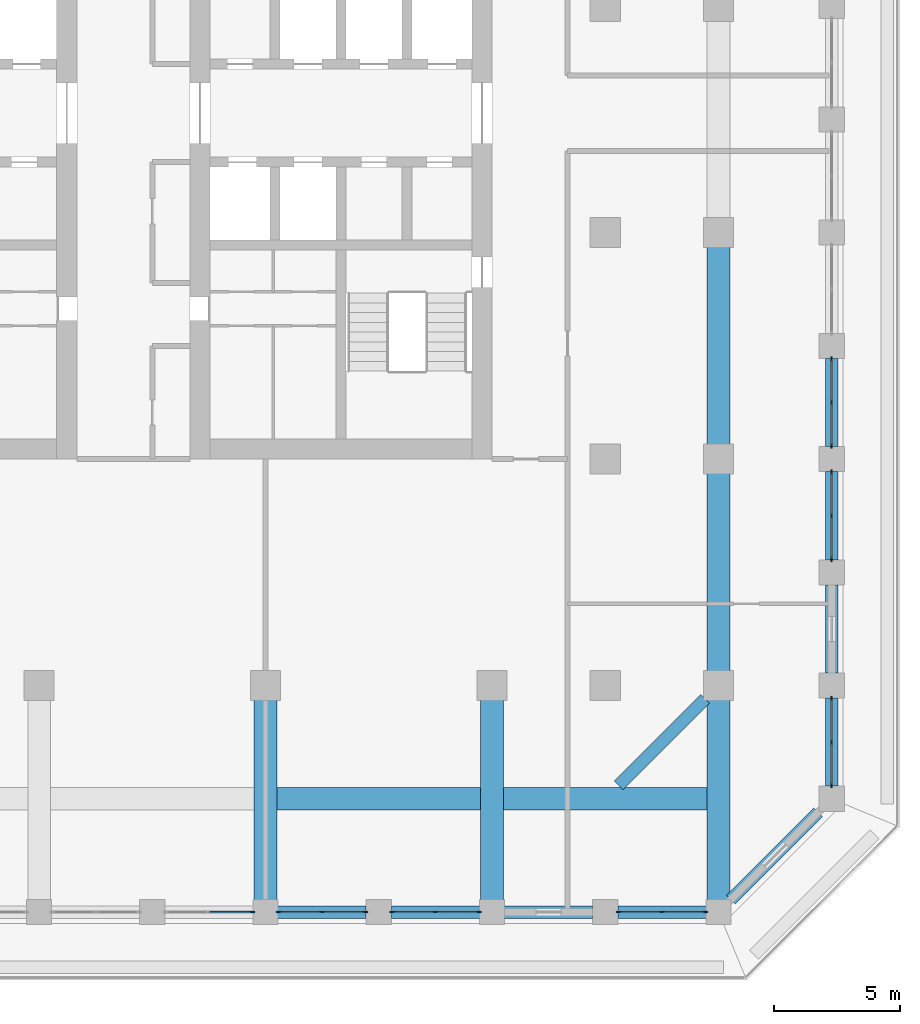
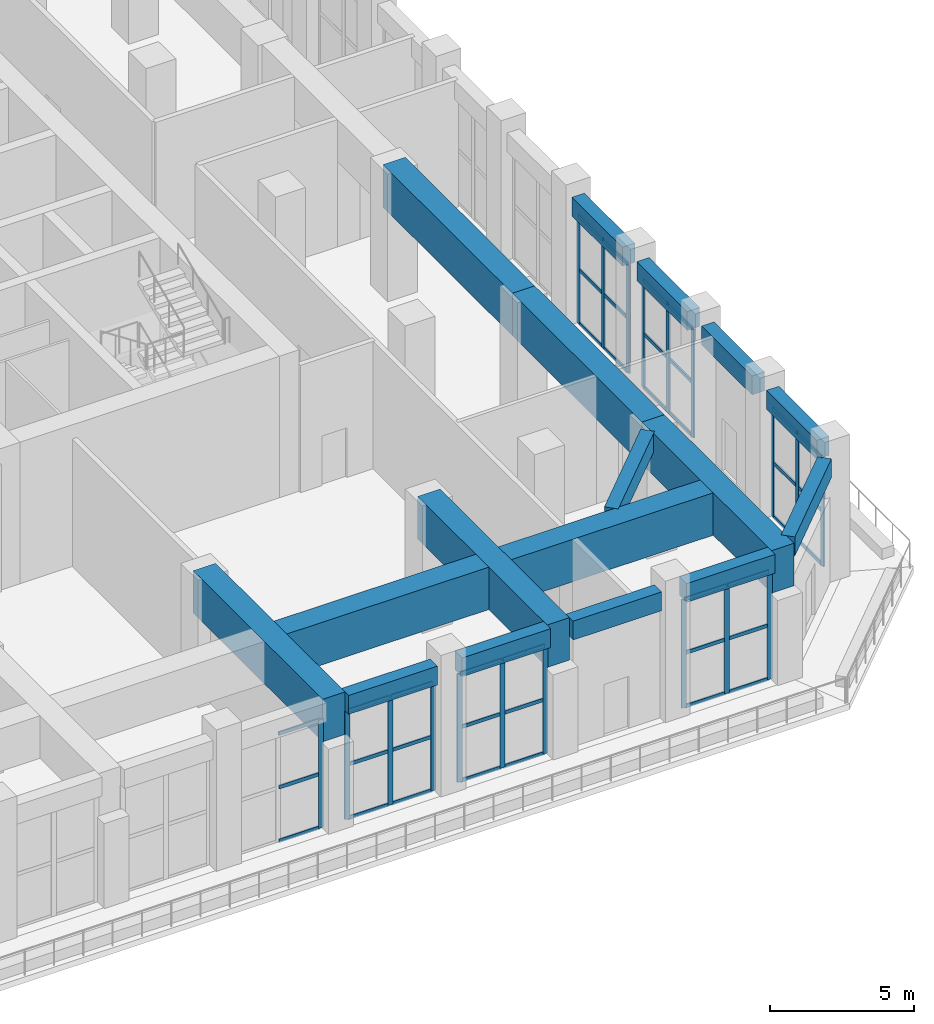
# One storey, part 4 of 25: 58 members, 17 beams, 7 elements without a shape of their own.
"""IFC4 building model written with IfcOpenShell, lengths in metres."""

from ifc_helpers import new_model, si_unit, direction, frame, origin, origin_2d, place, context, subcontext, project, spatial, rectangle, extrude, material, material_profile, profile_set, type_object, element, aggregate, save


model = new_model("IFC4")

# Units and contexts
model_context = context("Model", 3, precision=1e-05, world=origin(), true_north=direction((0.0, 1.0)))
body_context = subcontext(model_context, "Body", "Model", "MODEL_VIEW")
ifc_project = project(units=[si_unit("LENGTHUNIT", "METRE"), si_unit("AREAUNIT", "SQUARE_METRE"), si_unit("VOLUMEUNIT", "CUBIC_METRE"), si_unit("PLANEANGLEUNIT", "RADIAN"), si_unit("MASSUNIT", "GRAM", prefix="KILO")], contexts=[model_context])

# Site, building, storey
site_placement = place(None, origin())
site = spatial("IfcSite", under=ifc_project, at=site_placement, CompositionType="ELEMENT")
building_placement = place(site_placement, origin())
building = spatial("IfcBuilding", under=site, at=building_placement, Name="Corbel Stack Research Tower", CompositionType="ELEMENT")
storey_placement = place(building_placement, frame((0.0, 0.0, 220.199951171875)))
storey = spatial("IfcBuildingStorey", under=building, at=storey_placement, Name="L50", CompositionType="ELEMENT", Elevation=220.199951171875)

# Curtain wall, member
ifc_material_1 = material(Name="Aluminium frame, clear glass", Category="aluminium")
curtain_wall_type = type_object("IfcCurtainWallType", Name="Upper amenity floor curtain wall CW3", PredefinedType="NOTDEFINED", material=ifc_material_1)
curtain_wall_1_placement = place(storey_placement, origin())
curtain_wall_1 = element("IfcCurtainWall", 1, at=curtain_wall_1_placement, inside=storey, type_object=curtain_wall_type, Name="Curtain wall CW3 L50 S06", PredefinedType="NOTDEFINED")
ifc_material_2 = material(Name="Aluminium mullion", Category="aluminium")
ifc_material_profile_1 = material_profile(ifc_material_2, rectangle(XDim=0.06005859375, YDim=0.199951171875, at=origin_2d()), Name="Mullion 60 x 200")
ifc_profile_set_1 = profile_set([ifc_material_profile_1], Name="Aluminium mullion")
member_type_1 = type_object("IfcMemberType", Name="Curtain wall mullion 60 x 200", PredefinedType="MULLION", material=ifc_profile_set_1)
member_1_placement = place(storey_placement, frame((8.469970703125, -27.0, 0.0), z_axis=(0.0, 0.0, 1.0), x_axis=(0.0, 1.0, 0.0)))
member_1 = element("IfcMember", 2, at=member_1_placement, type_object=member_type_1, Name="CW3 mullion 3", PredefinedType="MULLION", context=body_context, shape_type="SweptSolid", body=[
    extrude(rectangle(XDim=0.06005859375, YDim=0.199951171875, at=origin_2d()), origin(), (0.0, 0.0, 1.0), 4.60009765625),
])

# Curtain wall, members
curtain_wall_2_placement = place(storey_placement, origin())
curtain_wall_2 = element("IfcCurtainWall", 3, at=curtain_wall_2_placement, inside=storey, type_object=curtain_wall_type, Name="Curtain wall CW3 L50 S07", PredefinedType="NOTDEFINED")
member_2_placement = place(storey_placement, frame((9.530029296875, -27.0, 0.0), z_axis=(0.0, 0.0, 1.0), x_axis=(0.0, 1.0, 0.0)))
member_2 = element("IfcMember", 4, at=member_2_placement, type_object=member_type_1, Name="CW3 mullion 1", PredefinedType="MULLION", context=body_context, shape_type="SweptSolid", body=[
    extrude(rectangle(XDim=0.06005859375, YDim=0.199951171875, at=origin_2d()), origin(), (0.0, 0.0, 1.0), 4.60009765625),
])
member_3_placement = place(storey_placement, frame((11.25, -27.0, 0.0), z_axis=(0.0, 0.0, 1.0), x_axis=(0.0, 1.0, 0.0)))
member_3 = element("IfcMember", 5, at=member_3_placement, type_object=member_type_1, Name="CW3 mullion 2", PredefinedType="MULLION", context=body_context, shape_type="SweptSolid", body=[
    extrude(rectangle(XDim=0.06005859375, YDim=0.199951171875, at=origin_2d()), origin(), (0.0, 0.0, 1.0), 4.60009765625),
])
member_4_placement = place(storey_placement, frame((12.969970703125, -27.0, 0.0), z_axis=(0.0, 0.0, 1.0), x_axis=(0.0, 1.0, 0.0)))
member_4 = element("IfcMember", 6, at=member_4_placement, type_object=member_type_1, Name="CW3 mullion 3", PredefinedType="MULLION", context=body_context, shape_type="SweptSolid", body=[
    extrude(rectangle(XDim=0.06005859375, YDim=0.199951171875, at=origin_2d()), origin(), (0.0, 0.0, 1.0), 4.60009765625),
])

curtain_wall_3_placement = place(storey_placement, origin())
curtain_wall_3 = element("IfcCurtainWall", 7, at=curtain_wall_3_placement, inside=storey, type_object=curtain_wall_type, Name="Curtain wall CW3 L50 S08", PredefinedType="NOTDEFINED")
member_5_placement = place(storey_placement, frame((14.030029296875, -27.0, 0.0), z_axis=(0.0, 0.0, 1.0), x_axis=(0.0, 1.0, 0.0)))
member_5 = element("IfcMember", 8, at=member_5_placement, type_object=member_type_1, Name="CW3 mullion 1", PredefinedType="MULLION", context=body_context, shape_type="SweptSolid", body=[
    extrude(rectangle(XDim=0.06005859375, YDim=0.199951171875, at=origin_2d()), origin(), (0.0, 0.0, 1.0), 4.60009765625),
])
member_6_placement = place(storey_placement, frame((15.75, -27.0, 0.0), z_axis=(0.0, 0.0, 1.0), x_axis=(0.0, 1.0, 0.0)))
member_6 = element("IfcMember", 9, at=member_6_placement, type_object=member_type_1, Name="CW3 mullion 2", PredefinedType="MULLION", context=body_context, shape_type="SweptSolid", body=[
    extrude(rectangle(XDim=0.06005859375, YDim=0.199951171875, at=origin_2d()), origin(), (0.0, 0.0, 1.0), 4.60009765625),
])
member_7_placement = place(storey_placement, frame((17.469970703125, -27.0, 0.0), z_axis=(0.0, 0.0, 1.0), x_axis=(0.0, 1.0, 0.0)))
member_7 = element("IfcMember", 10, at=member_7_placement, type_object=member_type_1, Name="CW3 mullion 3", PredefinedType="MULLION", context=body_context, shape_type="SweptSolid", body=[
    extrude(rectangle(XDim=0.06005859375, YDim=0.199951171875, at=origin_2d()), origin(), (0.0, 0.0, 1.0), 4.60009765625),
])

curtain_wall_4_placement = place(storey_placement, origin())
curtain_wall_4 = element("IfcCurtainWall", 11, at=curtain_wall_4_placement, inside=storey, type_object=curtain_wall_type, Name="Curtain wall CW3 L50 S10", PredefinedType="NOTDEFINED")
member_8_placement = place(storey_placement, frame((23.030029296875, -27.0, 0.0), z_axis=(0.0, 0.0, 1.0), x_axis=(0.0, 1.0, 0.0)))
member_8 = element("IfcMember", 12, at=member_8_placement, type_object=member_type_1, Name="CW3 mullion 1", PredefinedType="MULLION", context=body_context, shape_type="SweptSolid", body=[
    extrude(rectangle(XDim=0.06005859375, YDim=0.199951171875, at=origin_2d()), origin(), (0.0, 0.0, 1.0), 4.60009765625),
])
member_9_placement = place(storey_placement, frame((24.75, -27.0, 0.0), z_axis=(0.0, 0.0, 1.0), x_axis=(0.0, 1.0, 0.0)))
member_9 = element("IfcMember", 13, at=member_9_placement, type_object=member_type_1, Name="CW3 mullion 2", PredefinedType="MULLION", context=body_context, shape_type="SweptSolid", body=[
    extrude(rectangle(XDim=0.06005859375, YDim=0.199951171875, at=origin_2d()), origin(), (0.0, 0.0, 1.0), 4.60009765625),
])
member_10_placement = place(storey_placement, frame((26.469970703125, -27.0, 0.0), z_axis=(0.0, 0.0, 1.0), x_axis=(0.0, 1.0, 0.0)))
member_10 = element("IfcMember", 14, at=member_10_placement, type_object=member_type_1, Name="CW3 mullion 3", PredefinedType="MULLION", context=body_context, shape_type="SweptSolid", body=[
    extrude(rectangle(XDim=0.06005859375, YDim=0.199951171875, at=origin_2d()), origin(), (0.0, 0.0, 1.0), 4.60009765625),
])

curtain_wall_5_placement = place(storey_placement, origin())
curtain_wall_5 = element("IfcCurtainWall", 15, at=curtain_wall_5_placement, inside=storey, type_object=curtain_wall_type, Name="Curtain wall CW3 L50 E01", PredefinedType="NOTDEFINED")
member_11_placement = place(storey_placement, frame((31.5, -21.969970703125, 0.0), z_axis=(0.0, 0.0, 1.0), x_axis=(-1.0, 0.0, 0.0)))
member_11 = element("IfcMember", 16, at=member_11_placement, type_object=member_type_1, Name="CW3 mullion 1", PredefinedType="MULLION", context=body_context, shape_type="SweptSolid", body=[
    extrude(rectangle(XDim=0.06005859375, YDim=0.199951171875, at=origin_2d()), origin(), (0.0, 0.0, 1.0), 4.60009765625),
])
member_12_placement = place(storey_placement, frame((31.5, -20.25, 0.0), z_axis=(0.0, 0.0, 1.0), x_axis=(-1.0, 0.0, 0.0)))
member_12 = element("IfcMember", 17, at=member_12_placement, type_object=member_type_1, Name="CW3 mullion 2", PredefinedType="MULLION", context=body_context, shape_type="SweptSolid", body=[
    extrude(rectangle(XDim=0.06005859375, YDim=0.199951171875, at=origin_2d()), origin(), (0.0, 0.0, 1.0), 4.60009765625),
])
member_13_placement = place(storey_placement, frame((31.5, -18.530029296875, 0.0), z_axis=(0.0, 0.0, 1.0), x_axis=(-1.0, 0.0, 0.0)))
member_13 = element("IfcMember", 18, at=member_13_placement, type_object=member_type_1, Name="CW3 mullion 3", PredefinedType="MULLION", context=body_context, shape_type="SweptSolid", body=[
    extrude(rectangle(XDim=0.06005859375, YDim=0.199951171875, at=origin_2d()), origin(), (0.0, 0.0, 1.0), 4.60009765625),
])

curtain_wall_6_placement = place(storey_placement, origin())
curtain_wall_6 = element("IfcCurtainWall", 19, at=curtain_wall_6_placement, inside=storey, type_object=curtain_wall_type, Name="Curtain wall CW3 L50 E03", PredefinedType="NOTDEFINED")
member_14_placement = place(storey_placement, frame((31.5, -12.969970703125, 0.0), z_axis=(0.0, 0.0, 1.0), x_axis=(-1.0, 0.0, 0.0)))
member_14 = element("IfcMember", 20, at=member_14_placement, type_object=member_type_1, Name="CW3 mullion 1", PredefinedType="MULLION", context=body_context, shape_type="SweptSolid", body=[
    extrude(rectangle(XDim=0.06005859375, YDim=0.199951171875, at=origin_2d()), origin(), (0.0, 0.0, 1.0), 4.60009765625),
])
member_15_placement = place(storey_placement, frame((31.5, -11.25, 0.0), z_axis=(0.0, 0.0, 1.0), x_axis=(-1.0, 0.0, 0.0)))
member_15 = element("IfcMember", 21, at=member_15_placement, type_object=member_type_1, Name="CW3 mullion 2", PredefinedType="MULLION", context=body_context, shape_type="SweptSolid", body=[
    extrude(rectangle(XDim=0.06005859375, YDim=0.199951171875, at=origin_2d()), origin(), (0.0, 0.0, 1.0), 4.60009765625),
])
member_16_placement = place(storey_placement, frame((31.5, -9.530029296875, 0.0), z_axis=(0.0, 0.0, 1.0), x_axis=(-1.0, 0.0, 0.0)))
member_16 = element("IfcMember", 22, at=member_16_placement, type_object=member_type_1, Name="CW3 mullion 3", PredefinedType="MULLION", context=body_context, shape_type="SweptSolid", body=[
    extrude(rectangle(XDim=0.06005859375, YDim=0.199951171875, at=origin_2d()), origin(), (0.0, 0.0, 1.0), 4.60009765625),
])

curtain_wall_7_placement = place(storey_placement, origin())
curtain_wall_7 = element("IfcCurtainWall", 23, at=curtain_wall_7_placement, inside=storey, type_object=curtain_wall_type, Name="Curtain wall CW3 L50 E04", PredefinedType="NOTDEFINED")
member_17_placement = place(storey_placement, frame((31.5, -8.469970703125, 0.0), z_axis=(0.0, 0.0, 1.0), x_axis=(-1.0, 0.0, 0.0)))
member_17 = element("IfcMember", 24, at=member_17_placement, type_object=member_type_1, Name="CW3 mullion 1", PredefinedType="MULLION", context=body_context, shape_type="SweptSolid", body=[
    extrude(rectangle(XDim=0.06005859375, YDim=0.199951171875, at=origin_2d()), origin(), (0.0, 0.0, 1.0), 4.60009765625),
])
member_18_placement = place(storey_placement, frame((31.5, -6.75, 0.0), z_axis=(0.0, 0.0, 1.0), x_axis=(-1.0, 0.0, 0.0)))
member_18 = element("IfcMember", 25, at=member_18_placement, type_object=member_type_1, Name="CW3 mullion 2", PredefinedType="MULLION", context=body_context, shape_type="SweptSolid", body=[
    extrude(rectangle(XDim=0.06005859375, YDim=0.199951171875, at=origin_2d()), origin(), (0.0, 0.0, 1.0), 4.60009765625),
])
member_19_placement = place(storey_placement, frame((31.5, -5.030029296875, 0.0), z_axis=(0.0, 0.0, 1.0), x_axis=(-1.0, 0.0, 0.0)))
member_19 = element("IfcMember", 26, at=member_19_placement, type_object=member_type_1, Name="CW3 mullion 3", PredefinedType="MULLION", context=body_context, shape_type="SweptSolid", body=[
    extrude(rectangle(XDim=0.06005859375, YDim=0.199951171875, at=origin_2d()), origin(), (0.0, 0.0, 1.0), 4.60009765625),
])

# Member
ifc_material_3 = material(Name="Aluminium transom", Category="aluminium")
ifc_material_profile_2 = material_profile(ifc_material_3, rectangle(XDim=0.06005859375, YDim=0.14990234375, at=origin_2d()), Name="Transom 60 x 150")
ifc_profile_set_2 = profile_set([ifc_material_profile_2], Name="Aluminium transom")
member_type_2 = type_object("IfcMemberType", Name="Curtain wall transom 60 x 150", PredefinedType="USERDEFINED", material=ifc_profile_set_2)
member_20_placement = place(storey_placement, frame((6.780029296875, -27.0, 0.030029296875), z_axis=(1.0, 0.0, 0.0), x_axis=(0.0, 1.0, 0.0)))
member_20 = element("IfcMember", 27, at=member_20_placement, type_object=member_type_2, Name="CW3 transom 2.1", ObjectType="TRANSOM", PredefinedType="USERDEFINED", context=body_context, shape_type="SweptSolid", body=[
    extrude(rectangle(XDim=0.06005859375, YDim=0.14990234375, at=origin_2d()), origin(), (0.0, 0.0, 1.0), 1.659912109375),
])

member_21_placement = place(storey_placement, frame((6.780029296875, -27.0, 2.300048828125), z_axis=(1.0, 0.0, 0.0), x_axis=(0.0, 1.0, 0.0)))
member_21 = element("IfcMember", 28, at=member_21_placement, type_object=member_type_2, Name="CW3 transom 2.2", ObjectType="TRANSOM", PredefinedType="USERDEFINED", context=body_context, shape_type="SweptSolid", body=[
    extrude(rectangle(XDim=0.06005859375, YDim=0.14990234375, at=origin_2d()), origin(), (0.0, 0.0, 1.0), 1.659912109375),
])

member_22_placement = place(storey_placement, frame((6.780029296875, -27.0, 4.570068359375), z_axis=(1.0, 0.0, 0.0), x_axis=(0.0, 1.0, 0.0)))
member_22 = element("IfcMember", 29, at=member_22_placement, type_object=member_type_2, Name="CW3 transom 2.3", ObjectType="TRANSOM", PredefinedType="USERDEFINED", context=body_context, shape_type="SweptSolid", body=[
    extrude(rectangle(XDim=0.06005859375, YDim=0.14990234375, at=origin_2d()), origin(), (0.0, 0.0, 1.0), 1.659912109375),
])

aggregate(curtain_wall_1, [member_1, member_20, member_21, member_22])

member_23_placement = place(storey_placement, frame((9.56005859375, -27.0, 0.030029296875), z_axis=(1.0, 0.0, 0.0), x_axis=(0.0, 1.0, 0.0)))
member_23 = element("IfcMember", 30, at=member_23_placement, type_object=member_type_2, Name="CW3 transom 1.1", ObjectType="TRANSOM", PredefinedType="USERDEFINED", context=body_context, shape_type="SweptSolid", body=[
    extrude(rectangle(XDim=0.06005859375, YDim=0.14990234375, at=origin_2d()), origin(), (0.0, 0.0, 1.0), 1.659912109375),
])

member_24_placement = place(storey_placement, frame((9.56005859375, -27.0, 2.300048828125), z_axis=(1.0, 0.0, 0.0), x_axis=(0.0, 1.0, 0.0)))
member_24 = element("IfcMember", 31, at=member_24_placement, type_object=member_type_2, Name="CW3 transom 1.2", ObjectType="TRANSOM", PredefinedType="USERDEFINED", context=body_context, shape_type="SweptSolid", body=[
    extrude(rectangle(XDim=0.06005859375, YDim=0.14990234375, at=origin_2d()), origin(), (0.0, 0.0, 1.0), 1.659912109375),
])

member_25_placement = place(storey_placement, frame((9.56005859375, -27.0, 4.570068359375), z_axis=(1.0, 0.0, 0.0), x_axis=(0.0, 1.0, 0.0)))
member_25 = element("IfcMember", 32, at=member_25_placement, type_object=member_type_2, Name="CW3 transom 1.3", ObjectType="TRANSOM", PredefinedType="USERDEFINED", context=body_context, shape_type="SweptSolid", body=[
    extrude(rectangle(XDim=0.06005859375, YDim=0.14990234375, at=origin_2d()), origin(), (0.0, 0.0, 1.0), 1.659912109375),
])

member_26_placement = place(storey_placement, frame((11.280029296875, -27.0, 0.030029296875), z_axis=(1.0, 0.0, 0.0), x_axis=(0.0, 1.0, 0.0)))
member_26 = element("IfcMember", 33, at=member_26_placement, type_object=member_type_2, Name="CW3 transom 2.1", ObjectType="TRANSOM", PredefinedType="USERDEFINED", context=body_context, shape_type="SweptSolid", body=[
    extrude(rectangle(XDim=0.06005859375, YDim=0.14990234375, at=origin_2d()), origin(), (0.0, 0.0, 1.0), 1.659912109375),
])

member_27_placement = place(storey_placement, frame((11.280029296875, -27.0, 2.300048828125), z_axis=(1.0, 0.0, 0.0), x_axis=(0.0, 1.0, 0.0)))
member_27 = element("IfcMember", 34, at=member_27_placement, type_object=member_type_2, Name="CW3 transom 2.2", ObjectType="TRANSOM", PredefinedType="USERDEFINED", context=body_context, shape_type="SweptSolid", body=[
    extrude(rectangle(XDim=0.06005859375, YDim=0.14990234375, at=origin_2d()), origin(), (0.0, 0.0, 1.0), 1.659912109375),
])

member_28_placement = place(storey_placement, frame((11.280029296875, -27.0, 4.570068359375), z_axis=(1.0, 0.0, 0.0), x_axis=(0.0, 1.0, 0.0)))
member_28 = element("IfcMember", 35, at=member_28_placement, type_object=member_type_2, Name="CW3 transom 2.3", ObjectType="TRANSOM", PredefinedType="USERDEFINED", context=body_context, shape_type="SweptSolid", body=[
    extrude(rectangle(XDim=0.06005859375, YDim=0.14990234375, at=origin_2d()), origin(), (0.0, 0.0, 1.0), 1.659912109375),
])

aggregate(curtain_wall_2, [member_2, member_3, member_4, member_23, member_24, member_25, member_26, member_27, member_28])

member_29_placement = place(storey_placement, frame((14.06005859375, -27.0, 0.030029296875), z_axis=(1.0, 0.0, 0.0), x_axis=(0.0, 1.0, 0.0)))
member_29 = element("IfcMember", 36, at=member_29_placement, type_object=member_type_2, Name="CW3 transom 1.1", ObjectType="TRANSOM", PredefinedType="USERDEFINED", context=body_context, shape_type="SweptSolid", body=[
    extrude(rectangle(XDim=0.06005859375, YDim=0.14990234375, at=origin_2d()), origin(), (0.0, 0.0, 1.0), 1.659912109375),
])

member_30_placement = place(storey_placement, frame((14.06005859375, -27.0, 2.300048828125), z_axis=(1.0, 0.0, 0.0), x_axis=(0.0, 1.0, 0.0)))
member_30 = element("IfcMember", 37, at=member_30_placement, type_object=member_type_2, Name="CW3 transom 1.2", ObjectType="TRANSOM", PredefinedType="USERDEFINED", context=body_context, shape_type="SweptSolid", body=[
    extrude(rectangle(XDim=0.06005859375, YDim=0.14990234375, at=origin_2d()), origin(), (0.0, 0.0, 1.0), 1.659912109375),
])

member_31_placement = place(storey_placement, frame((14.06005859375, -27.0, 4.570068359375), z_axis=(1.0, 0.0, 0.0), x_axis=(0.0, 1.0, 0.0)))
member_31 = element("IfcMember", 38, at=member_31_placement, type_object=member_type_2, Name="CW3 transom 1.3", ObjectType="TRANSOM", PredefinedType="USERDEFINED", context=body_context, shape_type="SweptSolid", body=[
    extrude(rectangle(XDim=0.06005859375, YDim=0.14990234375, at=origin_2d()), origin(), (0.0, 0.0, 1.0), 1.659912109375),
])

member_32_placement = place(storey_placement, frame((15.780029296875, -27.0, 0.030029296875), z_axis=(1.0, 0.0, 0.0), x_axis=(0.0, 1.0, 0.0)))
member_32 = element("IfcMember", 39, at=member_32_placement, type_object=member_type_2, Name="CW3 transom 2.1", ObjectType="TRANSOM", PredefinedType="USERDEFINED", context=body_context, shape_type="SweptSolid", body=[
    extrude(rectangle(XDim=0.06005859375, YDim=0.14990234375, at=origin_2d()), origin(), (0.0, 0.0, 1.0), 1.659912109375),
])

member_33_placement = place(storey_placement, frame((15.780029296875, -27.0, 2.300048828125), z_axis=(1.0, 0.0, 0.0), x_axis=(0.0, 1.0, 0.0)))
member_33 = element("IfcMember", 40, at=member_33_placement, type_object=member_type_2, Name="CW3 transom 2.2", ObjectType="TRANSOM", PredefinedType="USERDEFINED", context=body_context, shape_type="SweptSolid", body=[
    extrude(rectangle(XDim=0.06005859375, YDim=0.14990234375, at=origin_2d()), origin(), (0.0, 0.0, 1.0), 1.659912109375),
])

member_34_placement = place(storey_placement, frame((15.780029296875, -27.0, 4.570068359375), z_axis=(1.0, 0.0, 0.0), x_axis=(0.0, 1.0, 0.0)))
member_34 = element("IfcMember", 41, at=member_34_placement, type_object=member_type_2, Name="CW3 transom 2.3", ObjectType="TRANSOM", PredefinedType="USERDEFINED", context=body_context, shape_type="SweptSolid", body=[
    extrude(rectangle(XDim=0.06005859375, YDim=0.14990234375, at=origin_2d()), origin(), (0.0, 0.0, 1.0), 1.659912109375),
])

aggregate(curtain_wall_3, [member_5, member_6, member_7, member_29, member_30, member_31, member_32, member_33, member_34])

member_35_placement = place(storey_placement, frame((23.06005859375, -27.0, 0.030029296875), z_axis=(1.0, 0.0, 0.0), x_axis=(0.0, 1.0, 0.0)))
member_35 = element("IfcMember", 42, at=member_35_placement, type_object=member_type_2, Name="CW3 transom 1.1", ObjectType="TRANSOM", PredefinedType="USERDEFINED", context=body_context, shape_type="SweptSolid", body=[
    extrude(rectangle(XDim=0.06005859375, YDim=0.14990234375, at=origin_2d()), origin(), (0.0, 0.0, 1.0), 1.659912109375),
])

member_36_placement = place(storey_placement, frame((23.06005859375, -27.0, 2.300048828125), z_axis=(1.0, 0.0, 0.0), x_axis=(0.0, 1.0, 0.0)))
member_36 = element("IfcMember", 43, at=member_36_placement, type_object=member_type_2, Name="CW3 transom 1.2", ObjectType="TRANSOM", PredefinedType="USERDEFINED", context=body_context, shape_type="SweptSolid", body=[
    extrude(rectangle(XDim=0.06005859375, YDim=0.14990234375, at=origin_2d()), origin(), (0.0, 0.0, 1.0), 1.659912109375),
])

member_37_placement = place(storey_placement, frame((23.06005859375, -27.0, 4.570068359375), z_axis=(1.0, 0.0, 0.0), x_axis=(0.0, 1.0, 0.0)))
member_37 = element("IfcMember", 44, at=member_37_placement, type_object=member_type_2, Name="CW3 transom 1.3", ObjectType="TRANSOM", PredefinedType="USERDEFINED", context=body_context, shape_type="SweptSolid", body=[
    extrude(rectangle(XDim=0.06005859375, YDim=0.14990234375, at=origin_2d()), origin(), (0.0, 0.0, 1.0), 1.659912109375),
])

member_38_placement = place(storey_placement, frame((24.780029296875, -27.0, 0.030029296875), z_axis=(1.0, 0.0, 0.0), x_axis=(0.0, 1.0, 0.0)))
member_38 = element("IfcMember", 45, at=member_38_placement, type_object=member_type_2, Name="CW3 transom 2.1", ObjectType="TRANSOM", PredefinedType="USERDEFINED", context=body_context, shape_type="SweptSolid", body=[
    extrude(rectangle(XDim=0.06005859375, YDim=0.14990234375, at=origin_2d()), origin(), (0.0, 0.0, 1.0), 1.659912109375),
])

member_39_placement = place(storey_placement, frame((24.780029296875, -27.0, 2.300048828125), z_axis=(1.0, 0.0, 0.0), x_axis=(0.0, 1.0, 0.0)))
member_39 = element("IfcMember", 46, at=member_39_placement, type_object=member_type_2, Name="CW3 transom 2.2", ObjectType="TRANSOM", PredefinedType="USERDEFINED", context=body_context, shape_type="SweptSolid", body=[
    extrude(rectangle(XDim=0.06005859375, YDim=0.14990234375, at=origin_2d()), origin(), (0.0, 0.0, 1.0), 1.659912109375),
])

member_40_placement = place(storey_placement, frame((24.780029296875, -27.0, 4.570068359375), z_axis=(1.0, 0.0, 0.0), x_axis=(0.0, 1.0, 0.0)))
member_40 = element("IfcMember", 47, at=member_40_placement, type_object=member_type_2, Name="CW3 transom 2.3", ObjectType="TRANSOM", PredefinedType="USERDEFINED", context=body_context, shape_type="SweptSolid", body=[
    extrude(rectangle(XDim=0.06005859375, YDim=0.14990234375, at=origin_2d()), origin(), (0.0, 0.0, 1.0), 1.659912109375),
])

aggregate(curtain_wall_4, [member_8, member_9, member_10, member_35, member_36, member_37, member_38, member_39, member_40])

member_41_placement = place(storey_placement, frame((31.5, -21.93994140625, 0.030029296875), z_axis=(0.0, 1.0, 0.0), x_axis=(-1.0, 0.0, 0.0)))
member_41 = element("IfcMember", 48, at=member_41_placement, type_object=member_type_2, Name="CW3 transom 1.1", ObjectType="TRANSOM", PredefinedType="USERDEFINED", context=body_context, shape_type="SweptSolid", body=[
    extrude(rectangle(XDim=0.06005859375, YDim=0.14990234375, at=origin_2d()), origin(), (0.0, 0.0, 1.0), 1.659912109375),
])

member_42_placement = place(storey_placement, frame((31.5, -21.93994140625, 2.300048828125), z_axis=(0.0, 1.0, 0.0), x_axis=(-1.0, 0.0, 0.0)))
member_42 = element("IfcMember", 49, at=member_42_placement, type_object=member_type_2, Name="CW3 transom 1.2", ObjectType="TRANSOM", PredefinedType="USERDEFINED", context=body_context, shape_type="SweptSolid", body=[
    extrude(rectangle(XDim=0.06005859375, YDim=0.14990234375, at=origin_2d()), origin(), (0.0, 0.0, 1.0), 1.659912109375),
])

member_43_placement = place(storey_placement, frame((31.5, -21.93994140625, 4.570068359375), z_axis=(0.0, 1.0, 0.0), x_axis=(-1.0, 0.0, 0.0)))
member_43 = element("IfcMember", 50, at=member_43_placement, type_object=member_type_2, Name="CW3 transom 1.3", ObjectType="TRANSOM", PredefinedType="USERDEFINED", context=body_context, shape_type="SweptSolid", body=[
    extrude(rectangle(XDim=0.06005859375, YDim=0.14990234375, at=origin_2d()), origin(), (0.0, 0.0, 1.0), 1.659912109375),
])

member_44_placement = place(storey_placement, frame((31.5, -20.219970703125, 0.030029296875), z_axis=(0.0, 1.0, 0.0), x_axis=(-1.0, 0.0, 0.0)))
member_44 = element("IfcMember", 51, at=member_44_placement, type_object=member_type_2, Name="CW3 transom 2.1", ObjectType="TRANSOM", PredefinedType="USERDEFINED", context=body_context, shape_type="SweptSolid", body=[
    extrude(rectangle(XDim=0.06005859375, YDim=0.14990234375, at=origin_2d()), origin(), (0.0, 0.0, 1.0), 1.659912109375),
])

member_45_placement = place(storey_placement, frame((31.5, -20.219970703125, 2.300048828125), z_axis=(0.0, 1.0, 0.0), x_axis=(-1.0, 0.0, 0.0)))
member_45 = element("IfcMember", 52, at=member_45_placement, type_object=member_type_2, Name="CW3 transom 2.2", ObjectType="TRANSOM", PredefinedType="USERDEFINED", context=body_context, shape_type="SweptSolid", body=[
    extrude(rectangle(XDim=0.06005859375, YDim=0.14990234375, at=origin_2d()), origin(), (0.0, 0.0, 1.0), 1.659912109375),
])

member_46_placement = place(storey_placement, frame((31.5, -20.219970703125, 4.570068359375), z_axis=(0.0, 1.0, 0.0), x_axis=(-1.0, 0.0, 0.0)))
member_46 = element("IfcMember", 53, at=member_46_placement, type_object=member_type_2, Name="CW3 transom 2.3", ObjectType="TRANSOM", PredefinedType="USERDEFINED", context=body_context, shape_type="SweptSolid", body=[
    extrude(rectangle(XDim=0.06005859375, YDim=0.14990234375, at=origin_2d()), origin(), (0.0, 0.0, 1.0), 1.659912109375),
])

aggregate(curtain_wall_5, [member_11, member_12, member_13, member_41, member_42, member_43, member_44, member_45, member_46])

member_47_placement = place(storey_placement, frame((31.5, -12.93994140625, 0.030029296875), z_axis=(0.0, 1.0, 0.0), x_axis=(-1.0, 0.0, 0.0)))
member_47 = element("IfcMember", 54, at=member_47_placement, type_object=member_type_2, Name="CW3 transom 1.1", ObjectType="TRANSOM", PredefinedType="USERDEFINED", context=body_context, shape_type="SweptSolid", body=[
    extrude(rectangle(XDim=0.06005859375, YDim=0.14990234375, at=origin_2d()), origin(), (0.0, 0.0, 1.0), 1.659912109375),
])

member_48_placement = place(storey_placement, frame((31.5, -12.93994140625, 2.300048828125), z_axis=(0.0, 1.0, 0.0), x_axis=(-1.0, 0.0, 0.0)))
member_48 = element("IfcMember", 55, at=member_48_placement, type_object=member_type_2, Name="CW3 transom 1.2", ObjectType="TRANSOM", PredefinedType="USERDEFINED", context=body_context, shape_type="SweptSolid", body=[
    extrude(rectangle(XDim=0.06005859375, YDim=0.14990234375, at=origin_2d()), origin(), (0.0, 0.0, 1.0), 1.659912109375),
])

member_49_placement = place(storey_placement, frame((31.5, -12.93994140625, 4.570068359375), z_axis=(0.0, 1.0, 0.0), x_axis=(-1.0, 0.0, 0.0)))
member_49 = element("IfcMember", 56, at=member_49_placement, type_object=member_type_2, Name="CW3 transom 1.3", ObjectType="TRANSOM", PredefinedType="USERDEFINED", context=body_context, shape_type="SweptSolid", body=[
    extrude(rectangle(XDim=0.06005859375, YDim=0.14990234375, at=origin_2d()), origin(), (0.0, 0.0, 1.0), 1.659912109375),
])

member_50_placement = place(storey_placement, frame((31.5, -11.219970703125, 0.030029296875), z_axis=(0.0, 1.0, 0.0), x_axis=(-1.0, 0.0, 0.0)))
member_50 = element("IfcMember", 57, at=member_50_placement, type_object=member_type_2, Name="CW3 transom 2.1", ObjectType="TRANSOM", PredefinedType="USERDEFINED", context=body_context, shape_type="SweptSolid", body=[
    extrude(rectangle(XDim=0.06005859375, YDim=0.14990234375, at=origin_2d()), origin(), (0.0, 0.0, 1.0), 1.659912109375),
])

member_51_placement = place(storey_placement, frame((31.5, -11.219970703125, 2.300048828125), z_axis=(0.0, 1.0, 0.0), x_axis=(-1.0, 0.0, 0.0)))
member_51 = element("IfcMember", 58, at=member_51_placement, type_object=member_type_2, Name="CW3 transom 2.2", ObjectType="TRANSOM", PredefinedType="USERDEFINED", context=body_context, shape_type="SweptSolid", body=[
    extrude(rectangle(XDim=0.06005859375, YDim=0.14990234375, at=origin_2d()), origin(), (0.0, 0.0, 1.0), 1.659912109375),
])

member_52_placement = place(storey_placement, frame((31.5, -11.219970703125, 4.570068359375), z_axis=(0.0, 1.0, 0.0), x_axis=(-1.0, 0.0, 0.0)))
member_52 = element("IfcMember", 59, at=member_52_placement, type_object=member_type_2, Name="CW3 transom 2.3", ObjectType="TRANSOM", PredefinedType="USERDEFINED", context=body_context, shape_type="SweptSolid", body=[
    extrude(rectangle(XDim=0.06005859375, YDim=0.14990234375, at=origin_2d()), origin(), (0.0, 0.0, 1.0), 1.659912109375),
])

aggregate(curtain_wall_6, [member_14, member_15, member_16, member_47, member_48, member_49, member_50, member_51, member_52])

member_53_placement = place(storey_placement, frame((31.5, -8.43994140625, 0.030029296875), z_axis=(0.0, 1.0, 0.0), x_axis=(-1.0, 0.0, 0.0)))
member_53 = element("IfcMember", 60, at=member_53_placement, type_object=member_type_2, Name="CW3 transom 1.1", ObjectType="TRANSOM", PredefinedType="USERDEFINED", context=body_context, shape_type="SweptSolid", body=[
    extrude(rectangle(XDim=0.06005859375, YDim=0.14990234375, at=origin_2d()), origin(), (0.0, 0.0, 1.0), 1.659912109375),
])

member_54_placement = place(storey_placement, frame((31.5, -8.43994140625, 2.300048828125), z_axis=(0.0, 1.0, 0.0), x_axis=(-1.0, 0.0, 0.0)))
member_54 = element("IfcMember", 61, at=member_54_placement, type_object=member_type_2, Name="CW3 transom 1.2", ObjectType="TRANSOM", PredefinedType="USERDEFINED", context=body_context, shape_type="SweptSolid", body=[
    extrude(rectangle(XDim=0.06005859375, YDim=0.14990234375, at=origin_2d()), origin(), (0.0, 0.0, 1.0), 1.659912109375),
])

member_55_placement = place(storey_placement, frame((31.5, -8.43994140625, 4.570068359375), z_axis=(0.0, 1.0, 0.0), x_axis=(-1.0, 0.0, 0.0)))
member_55 = element("IfcMember", 62, at=member_55_placement, type_object=member_type_2, Name="CW3 transom 1.3", ObjectType="TRANSOM", PredefinedType="USERDEFINED", context=body_context, shape_type="SweptSolid", body=[
    extrude(rectangle(XDim=0.06005859375, YDim=0.14990234375, at=origin_2d()), origin(), (0.0, 0.0, 1.0), 1.659912109375),
])

member_56_placement = place(storey_placement, frame((31.5, -6.719970703125, 0.030029296875), z_axis=(0.0, 1.0, 0.0), x_axis=(-1.0, 0.0, 0.0)))
member_56 = element("IfcMember", 63, at=member_56_placement, type_object=member_type_2, Name="CW3 transom 2.1", ObjectType="TRANSOM", PredefinedType="USERDEFINED", context=body_context, shape_type="SweptSolid", body=[
    extrude(rectangle(XDim=0.06005859375, YDim=0.14990234375, at=origin_2d()), origin(), (0.0, 0.0, 1.0), 1.659912109375),
])

member_57_placement = place(storey_placement, frame((31.5, -6.719970703125, 2.300048828125), z_axis=(0.0, 1.0, 0.0), x_axis=(-1.0, 0.0, 0.0)))
member_57 = element("IfcMember", 64, at=member_57_placement, type_object=member_type_2, Name="CW3 transom 2.2", ObjectType="TRANSOM", PredefinedType="USERDEFINED", context=body_context, shape_type="SweptSolid", body=[
    extrude(rectangle(XDim=0.06005859375, YDim=0.14990234375, at=origin_2d()), origin(), (0.0, 0.0, 1.0), 1.659912109375),
])

member_58_placement = place(storey_placement, frame((31.5, -6.719970703125, 4.570068359375), z_axis=(0.0, 1.0, 0.0), x_axis=(-1.0, 0.0, 0.0)))
member_58 = element("IfcMember", 65, at=member_58_placement, type_object=member_type_2, Name="CW3 transom 2.3", ObjectType="TRANSOM", PredefinedType="USERDEFINED", context=body_context, shape_type="SweptSolid", body=[
    extrude(rectangle(XDim=0.06005859375, YDim=0.14990234375, at=origin_2d()), origin(), (0.0, 0.0, 1.0), 1.659912109375),
])

aggregate(curtain_wall_7, [member_17, member_18, member_19, member_53, member_54, member_55, member_56, member_57, member_58])

# Beams
ifc_material_4 = material(Name="Concrete C60/75", Category="concrete")
ifc_material_profile_3 = material_profile(ifc_material_4, rectangle(XDim=0.5, YDim=0.800048828125, at=origin_2d()), Name="RC 500 x 800")
ifc_profile_set_3 = profile_set([ifc_material_profile_3], Name="Concrete C60/75")
beam_type_1 = type_object("IfcBeamType", Name="SB-500-800-600", PredefinedType="SPANDREL", material=ifc_profile_set_3)
for number, where, z_axis, x_axis, name in (
    (66, (9.449951171875, -27.0, 5.0), (1.0, 0.0, 0.0), (0.0, 1.0, 0.0), "Spandrel beam L50-07"),
    (67, (14.0, -27.0, 5.0), (1.0, 0.0, 0.0), (0.0, 1.0, 0.0), "Spandrel beam L50-08"),
    (68, (18.449951171875, -27.0, 5.0), (1.0, 0.0, 0.0), (0.0, 1.0, 0.0), "Spandrel beam L50-09"),
    (69, (23.0, -27.0, 5.0), (1.0, 0.0, 0.0), (0.0, 1.0, 0.0), "Spandrel beam L50-10"),
):
    element("IfcBeam", number, at=place(storey_placement, frame(where, z_axis=z_axis, x_axis=x_axis)), inside=storey, type_object=beam_type_1, Name=name, PredefinedType="SPANDREL", context=body_context, shape_type="SweptSolid", body=[
        extrude(rectangle(XDim=0.5, YDim=0.800048828125, at=origin_2d()), origin(), (0.0, 0.0, 1.0), 3.550048828125),
    ])
beam_1_placement = place(storey_placement, frame((27.492431640625, -26.507568359375, 5.0), z_axis=(0.707106781187, 0.707106781187, 0.0), x_axis=(-0.707106781187, 0.707106781187, 0.0)))
element("IfcBeam", 70, at=beam_1_placement, inside=storey, type_object=beam_type_1, Name="Spandrel beam L50-11", PredefinedType="SPANDREL", context=body_context, shape_type="SweptSolid", body=[
    extrude(rectangle(XDim=0.5, YDim=0.800048828125, at=origin_2d()), origin(), (0.0, 0.0, 1.0), 4.900390625),
])
for number, where, z_axis, x_axis, name in (
    (71, (31.5, -22.0, 5.0), (0.0, 1.0, 0.0), (-1.0, 0.0, 0.0), "Spandrel beam L50-12"),
    (72, (31.5, -17.5, 5.0), (0.0, 1.0, 0.0), (-1.0, 0.0, 0.0), "Spandrel beam L50-13"),
    (73, (31.5, -13.0, 5.0), (0.0, 1.0, 0.0), (-1.0, 0.0, 0.0), "Spandrel beam L50-14"),
    (74, (31.5, -8.5, 5.0), (0.0, 1.0, 0.0), (-1.0, 0.0, 0.0), "Spandrel beam L50-15"),
):
    element("IfcBeam", number, at=place(storey_placement, frame(where, z_axis=z_axis, x_axis=x_axis)), inside=storey, type_object=beam_type_1, Name=name, PredefinedType="SPANDREL", context=body_context, shape_type="SweptSolid", body=[
        extrude(rectangle(XDim=0.5, YDim=0.800048828125, at=origin_2d()), origin(), (0.0, 0.0, 1.0), 3.5),
    ])
beam_2_placement = place(storey_placement, frame((23.02783203125, -21.97216796875, 5.0), z_axis=(0.707106781187, 0.707106781187, 0.0), x_axis=(-0.707106781187, 0.707106781187, 0.0)))
element("IfcBeam", 75, at=beam_2_placement, inside=storey, type_object=beam_type_1, Name="Spandrel beam L50-45", PredefinedType="SPANDREL", context=body_context, shape_type="SweptSolid", body=[
    extrude(rectangle(XDim=0.5, YDim=0.800048828125, at=origin_2d()), origin(), (0.0, 0.0, 1.0), 4.87109375),
])
ifc_material_5 = material(Name="Concrete C60/75", Category="concrete")
ifc_material_profile_4 = material_profile(ifc_material_5, rectangle(XDim=0.89990234375, YDim=1.800048828125, at=origin_2d()), Name="RC 900 x 1800")
ifc_profile_set_4 = profile_set([ifc_material_profile_4], Name="Concrete C60/75")
beam_type_2 = type_object("IfcBeamType", Name="TG-900-1800", PredefinedType="BEAM", material=ifc_profile_set_4)
for number, where, z_axis, x_axis, name in (
    (76, (27.0, -18.0, 4.5), (0.0, 1.0, 0.0), (-1.0, 0.0, 0.0), "Transfer girder along the step L50 El-18"),
    (77, (27.0, -9.0, 4.5), (0.0, 1.0, 0.0), (-1.0, 0.0, 0.0), "Transfer girder along the step L50 El-9"),
    (78, (9.0, -27.0, 4.5), (0.0, 1.0, 0.0), (-1.0, 0.0, 0.0), "Transfer cross girder L50 Sx9"),
    (79, (18.0, -27.0, 4.5), (0.0, 1.0, 0.0), (-1.0, 0.0, 0.0), "Transfer cross girder L50 Sx18"),
    (80, (27.0, -27.0, 4.5), (0.0, 1.0, 0.0), (-1.0, 0.0, 0.0), "Transfer cross girder L50 Sx27"),
):
    element("IfcBeam", number, at=place(storey_placement, frame(where, z_axis=z_axis, x_axis=x_axis)), inside=storey, type_object=beam_type_2, Name=name, PredefinedType="BEAM", context=body_context, shape_type="SweptSolid", body=[
        extrude(rectangle(XDim=0.89990234375, YDim=1.800048828125, at=origin_2d()), origin(), (0.0, 0.0, 1.0), 9.0),
    ])
for number, where, z_axis, x_axis, name in (
    (81, (9.449951171875, -22.5, 4.5), (1.0, 0.0, 0.0), (0.0, 1.0, 0.0), "Transfer girder along the step L50 Sl9"),
    (82, (18.449951171875, -22.5, 4.5), (1.0, 0.0, 0.0), (0.0, 1.0, 0.0), "Transfer girder along the step L50 Sl18"),
):
    element("IfcBeam", number, at=place(storey_placement, frame(where, z_axis=z_axis, x_axis=x_axis)), inside=storey, type_object=beam_type_2, Name=name, PredefinedType="BEAM", context=body_context, shape_type="SweptSolid", body=[
        extrude(rectangle(XDim=0.89990234375, YDim=1.800048828125, at=origin_2d()), origin(), (0.0, 0.0, 1.0), 8.10009765625),
    ])

save(model, "model.ifc")
